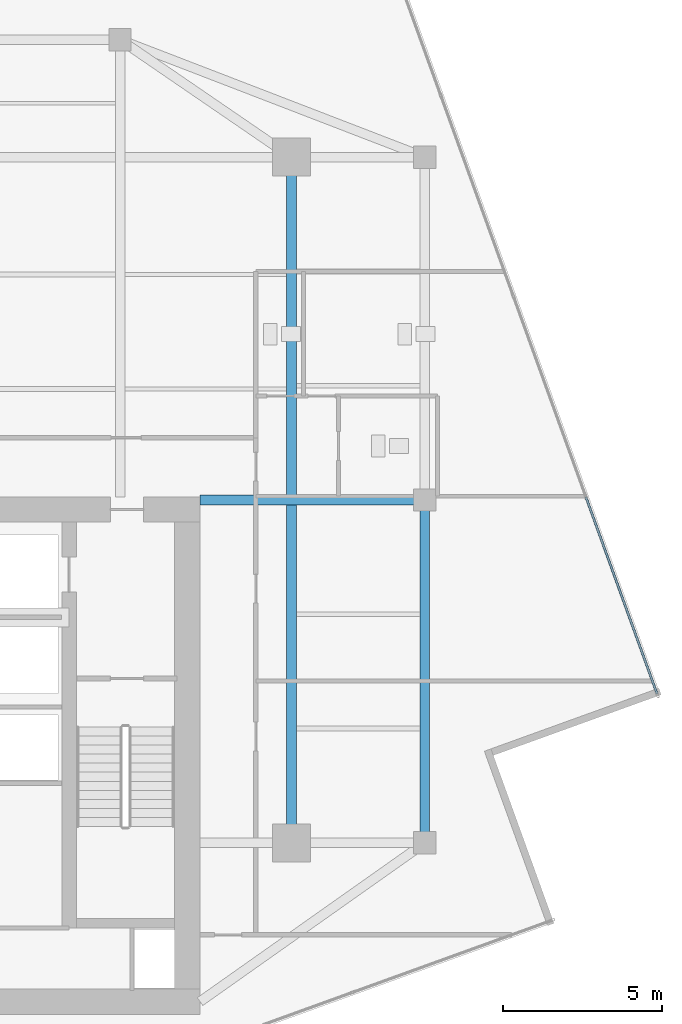
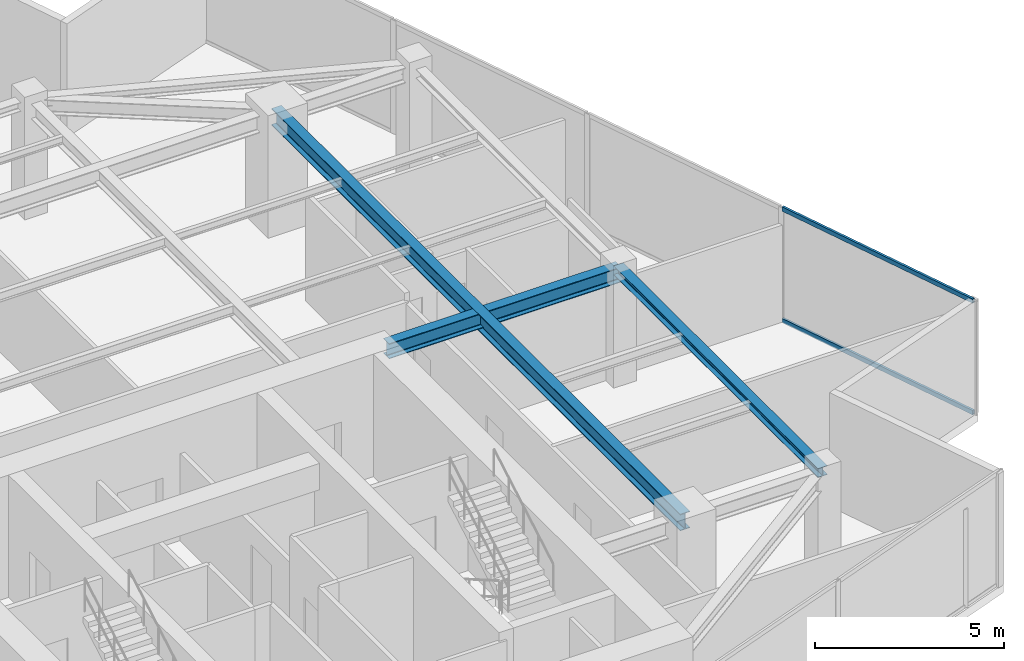
# One storey, part 10 of 21: 3 beams, 2 members, 1 element without a shape of its own.
"""IFC4 building model written with IfcOpenShell, lengths in metres."""

from ifc_helpers import new_model, si_unit, direction, frame, origin, origin_2d, place, context, subcontext, project, spatial, hollow_rectangle, i_section, extrude, source, transform, mapped, material, material_profile, profile_set, type_object, type_shapes, element, aggregate, save


model = new_model("IFC4")

# Units and contexts
model_context = context("Model", 3, precision=1e-05, world=origin(), true_north=direction((0.0, 1.0)))
body_context = subcontext(model_context, "Body", "Model", "MODEL_VIEW")
ifc_project = project(units=[si_unit("LENGTHUNIT", "METRE"), si_unit("AREAUNIT", "SQUARE_METRE"), si_unit("VOLUMEUNIT", "CUBIC_METRE"), si_unit("PLANEANGLEUNIT", "RADIAN"), si_unit("MASSUNIT", "GRAM", prefix="KILO")], contexts=[model_context])

# Site, building, storey
site_placement = place(None, origin())
site = spatial("IfcSite", under=ifc_project, at=site_placement, CompositionType="ELEMENT")
building_placement = place(site_placement, origin())
building = spatial("IfcBuilding", under=site, at=building_placement, Name="Krantzveldt Concourse Tower", CompositionType="ELEMENT")
storey_placement = place(building_placement, frame((0.0, 0.0, 335.60009765625)))
storey = spatial("IfcBuildingStorey", under=building, at=storey_placement, Name="L82", CompositionType="ELEMENT", Elevation=335.60009765625)

# Beams
ifc_material_1 = material(Name="Steel S355JR", Category="steel")
ifc_material_profile_1 = material_profile(ifc_material_1, i_section(OverallWidth=0.300048828125, OverallDepth=0.489990234375, WebThickness=0.011962890625, FlangeThickness=0.02294921875, FilletRadius=0.027099609375, at=origin_2d()), Name="Steel S355JR", Category="steel")
ifc_profile_set_1 = profile_set([ifc_material_profile_1], Name="Steel S355JR - HEA 500")
beam_type_1 = type_object("IfcBeamType", Name="BM-B-HEA500", PredefinedType="BEAM", material=ifc_profile_set_1)
shared_shape_1 = source(origin(), body_context, "Body", "SweptSolid", [
    extrude(i_section(OverallWidth=0.300048828125, OverallDepth=0.489990234375, WebThickness=0.011962890625, FlangeThickness=0.02294921875, FilletRadius=0.027099609375, at=origin_2d()), origin(), (0.0, 0.0, 1.0), 7.080078125),
])
type_shapes(beam_type_1, [shared_shape_1])
beam_1_placement = place(storey_placement, frame((43.919921875, 26.699951171875, 3.4248046875), z_axis=(1.0, 0.0, 0.0), x_axis=(0.0, 1.0, 0.0)))
element("IfcBeam", 1, at=beam_1_placement, inside=storey, type_object=beam_type_1, Name="L82 Tower Girder BG-CE2", PredefinedType="BEAM", context=body_context, shape_type="MappedRepresentation", body=[
    mapped(shared_shape_1, transform((0.0, 0.0, 0.0), x_axis=(1.0, 0.0, 0.0), y_axis=(0.0, 1.0, 0.0), z_axis=(0.0, 0.0, 1.0), scale=1.0)),
])
ifc_material_profile_2 = material_profile(ifc_material_1, i_section(OverallWidth=0.300048828125, OverallDepth=0.5400390625, WebThickness=0.012451171875, FlangeThickness=0.02392578125, FilletRadius=0.027099609375, at=origin_2d()), Name="Steel S355JR", Category="steel")
ifc_profile_set_2 = profile_set([ifc_material_profile_2], Name="Steel S355JR - HEA 550")
beam_type_2 = type_object("IfcBeamType", Name="BM-B-HEA550", PredefinedType="BEAM", material=ifc_profile_set_2)
shared_shape_2 = source(origin(), body_context, "Body", "SweptSolid", [
    extrude(i_section(OverallWidth=0.300048828125, OverallDepth=0.5400390625, WebThickness=0.012451171875, FlangeThickness=0.02392578125, FilletRadius=0.027099609375, at=origin_2d()), origin(), (0.0, 0.0, 1.0), 21.60009765625),
])
type_shapes(beam_type_2, [shared_shape_2])
beam_2_placement = place(storey_placement, frame((46.800048828125, 15.89990234375, 3.39990234375), z_axis=(0.0, 1.0, 0.0), x_axis=(-1.0, 0.0, 0.0)))
element("IfcBeam", 2, at=beam_2_placement, inside=storey, type_object=beam_type_2, Name="L82 Tower Girder BG-ME", PredefinedType="BEAM", context=body_context, shape_type="MappedRepresentation", body=[
    mapped(shared_shape_2, transform((0.0, 0.0, 0.0), x_axis=(1.0, 0.0, 0.0), y_axis=(0.0, 1.0, 0.0), z_axis=(0.0, 0.0, 1.0), scale=1.0)),
])
ifc_material_profile_3 = material_profile(ifc_material_1, i_section(OverallWidth=0.2900390625, OverallDepth=0.2900390625, WebThickness=0.008544921875, FlangeThickness=0.013916015625, FilletRadius=0.027099609375, at=origin_2d()), Name="Steel S355JR", Category="steel")
ifc_profile_set_3 = profile_set([ifc_material_profile_3], Name="Steel S355JR - HEA 300")
beam_type_3 = type_object("IfcBeamType", Name="BM-SP-HEA300", PredefinedType="SPANDREL", material=ifc_profile_set_3)
shared_shape_3 = source(origin(), body_context, "Body", "SweptSolid", [
    extrude(i_section(OverallWidth=0.2900390625, OverallDepth=0.2900390625, WebThickness=0.008544921875, FlangeThickness=0.013916015625, FilletRadius=0.027099609375, at=origin_2d()), origin(), (0.0, 0.0, 1.0), 10.800048828125),
])
type_shapes(beam_type_3, [shared_shape_3])
beam_3_placement = place(storey_placement, frame((51.0, 26.699951171875, 3.52490234375), z_axis=(0.0, -1.0, 0.0), x_axis=(1.0, 0.0, 0.0)))
element("IfcBeam", 3, at=beam_3_placement, inside=storey, type_object=beam_type_3, Name="L82 Tower Girder SP-R07", PredefinedType="SPANDREL", context=body_context, shape_type="MappedRepresentation", body=[
    mapped(shared_shape_3, transform((0.0, 0.0, 0.0), x_axis=(1.0, 0.0, 0.0), y_axis=(0.0, 1.0, 0.0), z_axis=(0.0, 0.0, 1.0), scale=1.0)),
])

# Curtain wall, members
ifc_material_2 = material(Name="Anodised aluminium 6063-T6", Category="aluminium")
curtain_wall_type = type_object("IfcCurtainWallType", Name="CW4", PredefinedType="USERDEFINED", material=ifc_material_2)
curtain_wall_placement = place(storey_placement, origin())
curtain_wall = element("IfcCurtainWall", 4, at=curtain_wall_placement, inside=storey, type_object=curtain_wall_type, Name="CW-L82-F10", ObjectType="UNITISED CURTAIN WALL", PredefinedType="USERDEFINED")
ifc_material_profile_4 = material_profile(ifc_material_2, hollow_rectangle(XDim=0.070068359375, YDim=0.139892578125, WallThickness=0.0048828125, at=origin_2d()), Name="Anodised aluminium 6063-T6", Category="aluminium")
ifc_profile_set_4 = profile_set([ifc_material_profile_4], Name="Anodised aluminium 6063-T6 - ALU-TRAN 140x70x5")
member_type = type_object("IfcMemberType", Name="CW-TRN-150", PredefinedType="USERDEFINED", material=ifc_profile_set_4)
shared_shape_4 = source(origin(), body_context, "Body", "SweptSolid", [
    extrude(hollow_rectangle(XDim=0.070068359375, YDim=0.139892578125, WallThickness=0.0048828125, at=origin_2d()), origin(), (0.0, 0.0, 1.0), 6.594970703125),
])
type_shapes(member_type, [shared_shape_4])
member_1_placement = place(storey_placement, frame((58.3154296875, 20.5927734375, 0.034912109375), z_axis=(-0.339982843811, 0.940431638086, 0.0), x_axis=(-0.940431638086, -0.339982843811, 0.0)))
member_1 = element("IfcMember", 5, at=member_1_placement, type_object=member_type, Name="CW-Z56 transom 1.1", ObjectType="TRANSOM", PredefinedType="USERDEFINED", context=body_context, shape_type="MappedRepresentation", body=[
    mapped(shared_shape_4, transform((0.0, 0.0, 0.0), x_axis=(1.0, 0.0, 0.0), y_axis=(0.0, 1.0, 0.0), z_axis=(0.0, 0.0, 1.0), scale=1.0)),
])
member_2_placement = place(storey_placement, frame((58.3154296875, 20.5927734375, 3.635009765625), z_axis=(-0.339982843811, 0.940431638086, 0.0), x_axis=(-0.940431638086, -0.339982843811, 0.0)))
member_2 = element("IfcMember", 6, at=member_2_placement, type_object=member_type, Name="CW-Z56 transom 1.2", ObjectType="TRANSOM", PredefinedType="USERDEFINED", context=body_context, shape_type="MappedRepresentation", body=[
    mapped(shared_shape_4, transform((0.0, 0.0, 0.0), x_axis=(1.0, 0.0, 0.0), y_axis=(0.0, 1.0, 0.0), z_axis=(0.0, 0.0, 1.0), scale=1.0)),
])
aggregate(curtain_wall, [member_1, member_2])

save(model, "model.ifc")
